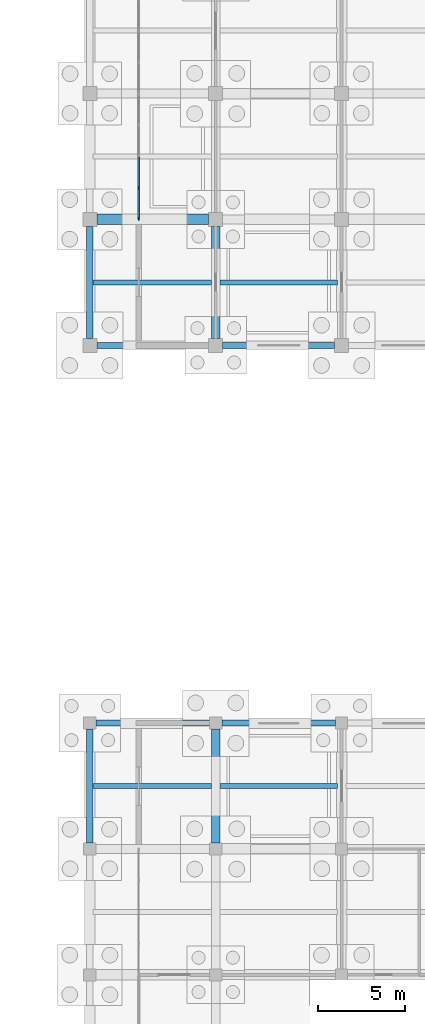
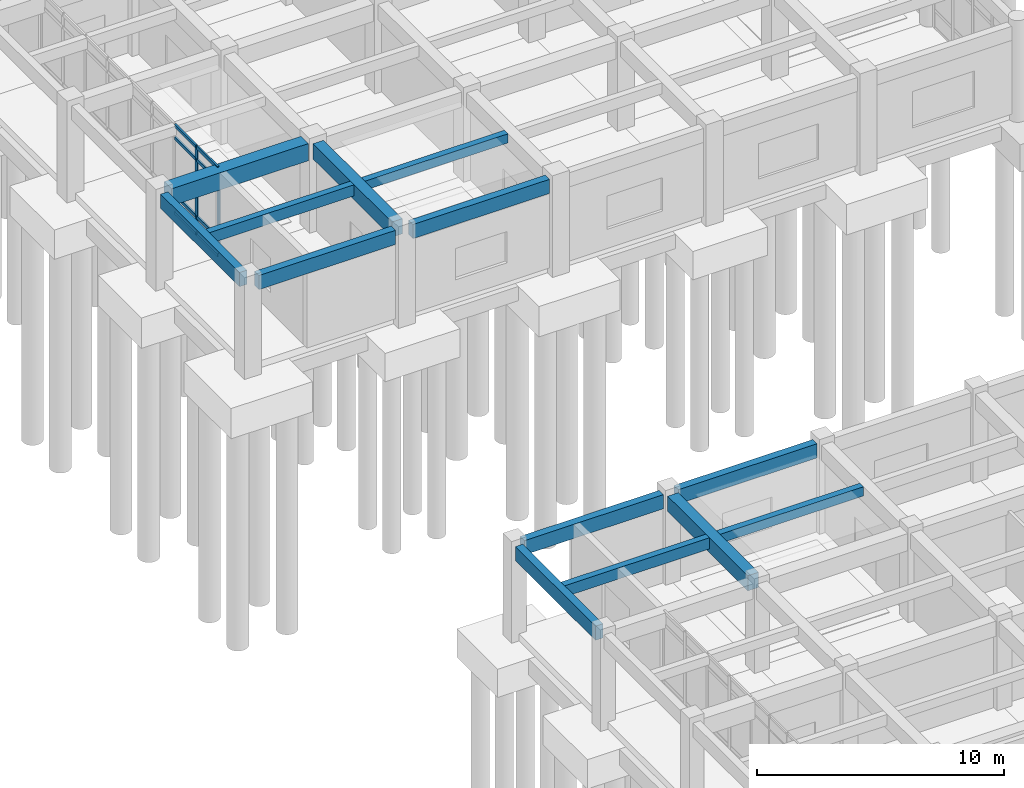
# One storey, part 25 of 79: 13 beams, 10 members, 1 element without a shape of its own.
"""IFC4 building model written with IfcOpenShell, lengths in metres."""

from ifc_helpers import new_model, si_unit, direction, frame, origin, origin_2d, place, context, subcontext, project, spatial, rectangle, extrude, material, layer, layer_set, material_profile, profile_set, type_object, element, aggregate, save


model = new_model("IFC4")

# Units and contexts
model_context = context("Model", 3, precision=1e-05, world=origin(), true_north=direction((0.0, 1.0)))
body_context = subcontext(model_context, "Body", "Model", "MODEL_VIEW")
ifc_project = project(units=[si_unit("LENGTHUNIT", "METRE"), si_unit("AREAUNIT", "SQUARE_METRE"), si_unit("VOLUMEUNIT", "CUBIC_METRE"), si_unit("PLANEANGLEUNIT", "RADIAN"), si_unit("MASSUNIT", "GRAM", prefix="KILO")], contexts=[model_context])

# Site, building, storey
site_placement = place(None, origin())
site = spatial("IfcSite", under=ifc_project, at=site_placement, CompositionType="ELEMENT")
building_placement = place(site_placement, origin())
building = spatial("IfcBuilding", under=site, at=building_placement, Name="Kavelor Marine Aquarium", CompositionType="ELEMENT")
storey_placement = place(building_placement, origin())
storey = spatial("IfcBuildingStorey", under=building, at=storey_placement, Name="L00", CompositionType="ELEMENT", Elevation=0.0)

# Beams
ifc_material_1 = material(Name="Concrete C40/50", Category="concrete")
ifc_material_profile_1 = material_profile(ifc_material_1, rectangle(XDim=0.60009765625, YDim=0.85009765625, at=origin_2d()), Name="RC-BM 600x850")
ifc_profile_set_1 = profile_set([ifc_material_profile_1], Name="Concrete C40/50")
beam_type_1 = type_object("IfcBeamType", Name="BM-B1", PredefinedType="BEAM", material=ifc_profile_set_1)
beam_1_placement = place(storey_placement, frame((118.800048828125, 60.39990234375, 3.955078125), z_axis=(1.0, 0.0, 0.0), x_axis=(0.0, 1.0, 0.0)))
element("IfcBeam", 1, at=beam_1_placement, inside=storey, type_object=beam_type_1, Name="bm:x:L00:L01:16_08", PredefinedType="BEAM", context=body_context, shape_type="SweptSolid", body=[
    extrude(rectangle(XDim=0.60009765625, YDim=0.85009765625, at=origin_2d()), origin(), (0.0, 0.0, 1.0), 6.39990234375),
])
ifc_material_2 = material(Name="Concrete C40/50", Category="concrete")
ifc_material_profile_2 = material_profile(ifc_material_2, rectangle(XDim=0.5, YDim=0.75, at=origin_2d()), Name="RC-BM 500x750")
ifc_profile_set_2 = profile_set([ifc_material_profile_2], Name="Concrete C40/50")
beam_type_2 = type_object("IfcBeamType", Name="BM-B2", PredefinedType="BEAM", material=ifc_profile_set_2)
beam_2_placement = place(storey_placement, frame((125.60009765625, 24.75, 4.0048828125), z_axis=(0.0, 1.0, 0.0), x_axis=(-1.0, 0.0, 0.0)))
element("IfcBeam", 2, at=beam_2_placement, inside=storey, type_object=beam_type_2, Name="bm:y:L00:L01:17_03", PredefinedType="BEAM", context=body_context, shape_type="SweptSolid", body=[
    extrude(rectangle(XDim=0.5, YDim=0.75, at=origin_2d()), origin(), (0.0, 0.0, 1.0), 6.5),
])
beam_3_placement = place(storey_placement, frame((125.60009765625, 53.60009765625, 4.0048828125), z_axis=(0.0, 1.0, 0.0), x_axis=(-1.0, 0.0, 0.0)))
element("IfcBeam", 3, at=beam_3_placement, inside=storey, type_object=beam_type_2, Name="bm:y:L00:L01:17_07", PredefinedType="BEAM", context=body_context, shape_type="SweptSolid", body=[
    extrude(rectangle(XDim=0.5, YDim=0.75, at=origin_2d()), origin(), (0.0, 0.0, 1.0), 6.39990234375),
])
ifc_material_3 = material(Name="Concrete C40/50", Category="concrete")
ifc_material_profile_3 = material_profile(ifc_material_3, rectangle(XDim=0.300048828125, YDim=0.449951171875, at=origin_2d()), Name="RC-JS 300x450")
ifc_profile_set_3 = profile_set([ifc_material_profile_3], Name="Concrete C40/50")
beam_type_3 = type_object("IfcBeamType", Name="BM-JS1", PredefinedType="JOIST", material=ifc_profile_set_3)
for number, where, z_axis, x_axis, name in (
    (4, (125.85009765625, 28.0, 4.155029296875), (1.0, 0.0, 0.0), (0.0, 1.0, 0.0), "js:L00:L01:17_03"),
    (5, (125.85009765625, 56.800048828125, 4.155029296875), (1.0, 0.0, 0.0), (0.0, 1.0, 0.0), "js:L00:L01:17_07"),
):
    element("IfcBeam", number, at=place(storey_placement, frame(where, z_axis=z_axis, x_axis=x_axis)), inside=storey, type_object=beam_type_3, Name=name, PredefinedType="JOIST", context=body_context, shape_type="SweptSolid", body=[
        extrude(rectangle(XDim=0.300048828125, YDim=0.449951171875, at=origin_2d()), origin(), (0.0, 0.0, 1.0), 6.699951171875),
    ])
ifc_material_4 = material(Name="Concrete C40/50", Category="concrete")
ifc_material_profile_4 = material_profile(ifc_material_4, rectangle(XDim=0.300048828125, YDim=0.550048828125, at=origin_2d()), Name="RC-JS 300x550")
ifc_profile_set_4 = profile_set([ifc_material_profile_4], Name="Concrete C40/50")
beam_type_4 = type_object("IfcBeamType", Name="BM-JS2", PredefinedType="JOIST", material=ifc_profile_set_4)
for number, where, z_axis, x_axis, name in (
    (6, (118.574951171875, 28.0, 4.10498046875), (1.0, 0.0, 0.0), (0.0, 1.0, 0.0), "js:L00:L01:16_03"),
    (7, (118.574951171875, 56.800048828125, 4.10498046875), (1.0, 0.0, 0.0), (0.0, 1.0, 0.0), "js:L00:L01:16_07"),
):
    element("IfcBeam", number, at=place(storey_placement, frame(where, z_axis=z_axis, x_axis=x_axis)), inside=storey, type_object=beam_type_4, Name=name, PredefinedType="JOIST", context=body_context, shape_type="SweptSolid", body=[
        extrude(rectangle(XDim=0.300048828125, YDim=0.550048828125, at=origin_2d()), origin(), (0.0, 0.0, 1.0), 6.775146484375),
    ])
ifc_material_5 = material(Name="Concrete C40/50", Category="concrete")
ifc_material_profile_5 = material_profile(ifc_material_5, rectangle(XDim=0.35009765625, YDim=0.699951171875, at=origin_2d()), Name="RC-SP 350x700")
ifc_profile_set_5 = profile_set([ifc_material_profile_5], Name="Concrete C40/50")
beam_type_5 = type_object("IfcBeamType", Name="BM-SP1", PredefinedType="SPANDREL", material=ifc_profile_set_5)
beam_4_placement = place(storey_placement, frame((118.75, 31.60009765625, 4.030029296875), z_axis=(1.0, 0.0, 0.0), x_axis=(0.0, 1.0, 0.0)))
element("IfcBeam", 8, at=beam_4_placement, inside=storey, type_object=beam_type_5, Name="bm:x:L00:L01:16_04", PredefinedType="SPANDREL", context=body_context, shape_type="SweptSolid", body=[
    extrude(rectangle(XDim=0.35009765625, YDim=0.699951171875, at=origin_2d()), origin(), (0.0, 0.0, 1.0), 6.5),
])
beam_5_placement = place(storey_placement, frame((118.800048828125, 53.199951171875, 4.030029296875), z_axis=(1.0, 0.0, 0.0), x_axis=(0.0, 1.0, 0.0)))
element("IfcBeam", 9, at=beam_5_placement, inside=storey, type_object=beam_type_5, Name="bm:x:L00:L01:16_07", PredefinedType="SPANDREL", context=body_context, shape_type="SweptSolid", body=[
    extrude(rectangle(XDim=0.35009765625, YDim=0.699951171875, at=origin_2d()), origin(), (0.0, 0.0, 1.0), 6.39990234375),
])
beam_6_placement = place(storey_placement, frame((125.949951171875, 31.60009765625, 4.030029296875), z_axis=(1.0, 0.0, 0.0), x_axis=(0.0, 1.0, 0.0)))
element("IfcBeam", 10, at=beam_6_placement, inside=storey, type_object=beam_type_5, Name="bm:x:L00:L01:17_04", PredefinedType="SPANDREL", context=body_context, shape_type="SweptSolid", body=[
    extrude(rectangle(XDim=0.35009765625, YDim=0.699951171875, at=origin_2d()), origin(), (0.0, 0.0, 1.0), 6.5),
])
beam_7_placement = place(storey_placement, frame((126.0, 53.199951171875, 4.030029296875), z_axis=(1.0, 0.0, 0.0), x_axis=(0.0, 1.0, 0.0)))
element("IfcBeam", 11, at=beam_7_placement, inside=storey, type_object=beam_type_5, Name="bm:x:L00:L01:17_07", PredefinedType="SPANDREL", context=body_context, shape_type="SweptSolid", body=[
    extrude(rectangle(XDim=0.35009765625, YDim=0.699951171875, at=origin_2d()), origin(), (0.0, 0.0, 1.0), 6.39990234375),
])
beam_8_placement = place(storey_placement, frame((118.39990234375, 24.75, 4.030029296875), z_axis=(0.0, 1.0, 0.0), x_axis=(-1.0, 0.0, 0.0)))
element("IfcBeam", 12, at=beam_8_placement, inside=storey, type_object=beam_type_5, Name="bm:y:L00:L01:16_03", PredefinedType="SPANDREL", context=body_context, shape_type="SweptSolid", body=[
    extrude(rectangle(XDim=0.35009765625, YDim=0.699951171875, at=origin_2d()), origin(), (0.0, 0.0, 1.0), 6.5),
])
beam_9_placement = place(storey_placement, frame((118.39990234375, 53.60009765625, 4.030029296875), z_axis=(0.0, 1.0, 0.0), x_axis=(-1.0, 0.0, 0.0)))
element("IfcBeam", 13, at=beam_9_placement, inside=storey, type_object=beam_type_5, Name="bm:y:L00:L01:16_07", PredefinedType="SPANDREL", context=body_context, shape_type="SweptSolid", body=[
    extrude(rectangle(XDim=0.35009765625, YDim=0.699951171875, at=origin_2d()), origin(), (0.0, 0.0, 1.0), 6.39990234375),
])

# Curtain wall, members
ifc_material_6 = material(Name="Thermally Broken Aluminium and Low-E Glass", Category="aluminium")
ifc_layer = layer(ifc_material_6, 0.26806640625)
ifc_layer_set = layer_set([ifc_layer], Name="CW-SYS16")
curtain_wall_type = type_object("IfcCurtainWallType", Name="CW-SYS16", PredefinedType="USERDEFINED", material=ifc_layer_set)
curtain_wall_placement = place(storey_placement, origin())
curtain_wall = element("IfcCurtainWall", 14, at=curtain_wall_placement, inside=storey, type_object=curtain_wall_type, Name="cw:arc:v6w:08", ObjectType="Curtain Wall", PredefinedType="USERDEFINED")
ifc_material_7 = material(Name="Anodised Aluminium Alloy 6063-T6", Category="aluminium")
ifc_material_profile_6 = material_profile(ifc_material_7, rectangle(XDim=0.074951171875, YDim=0.179931640625, at=origin_2d()), Name="CW-MUL 75x180")
ifc_profile_set_6 = profile_set([ifc_material_profile_6], Name="Anodised Aluminium Alloy 6063-T6")
member_type_1 = type_object("IfcMemberType", Name="CWM-1", PredefinedType="MULLION", material=ifc_profile_set_6)
member_1_placement = place(storey_placement, frame((121.199951171875, 62.199951171875, 0.0), z_axis=(0.0, 0.0, 1.0), x_axis=(1.0, 0.0, 0.0)))
member_1 = element("IfcMember", 15, at=member_1_placement, type_object=member_type_1, Name="CW16 mullion 4", PredefinedType="MULLION", context=body_context, shape_type="SweptSolid", body=[
    extrude(rectangle(XDim=0.074951171875, YDim=0.179931640625, at=origin_2d()), origin(), (0.0, 0.0, 1.0), 4.3701171875),
])
member_2_placement = place(storey_placement, frame((121.199951171875, 60.4375, 0.0), z_axis=(0.0, 0.0, 1.0), x_axis=(1.0, 0.0, 0.0)))
member_2 = element("IfcMember", 16, at=member_2_placement, type_object=member_type_1, Name="CW16 mullion 5", PredefinedType="MULLION", context=body_context, shape_type="SweptSolid", body=[
    extrude(rectangle(XDim=0.074951171875, YDim=0.179931640625, at=origin_2d()), origin(), (0.0, 0.0, 1.0), 4.3701171875),
])
ifc_material_8 = material(Name="Anodised Aluminium Alloy 6063-T6", Category="aluminium")
ifc_material_profile_7 = material_profile(ifc_material_8, rectangle(XDim=0.0849609375, YDim=0.159912109375, at=origin_2d()), Name="CW-TRN 85x160")
ifc_profile_set_7 = profile_set([ifc_material_profile_7], Name="Anodised Aluminium Alloy 6063-T6")
member_type_2 = type_object("IfcMemberType", Name="CWT-3", PredefinedType="USERDEFINED", material=ifc_profile_set_7)
member_3_placement = place(storey_placement, frame((121.199951171875, 63.96240234375, 0.030029296875), z_axis=(0.0, -1.0, 0.0), x_axis=(1.0, 0.0, 0.0)))
member_3 = element("IfcMember", 17, at=member_3_placement, type_object=member_type_2, Name="CW16 transom 3.1", ObjectType="TRANSOM", PredefinedType="USERDEFINED", context=body_context, shape_type="SweptSolid", body=[
    extrude(rectangle(XDim=0.0849609375, YDim=0.159912109375, at=origin_2d()), origin(), (0.0, 0.0, 1.0), 1.724853515625),
])
member_4_placement = place(storey_placement, frame((121.199951171875, 63.96240234375, 0.89990234375), z_axis=(0.0, -1.0, 0.0), x_axis=(1.0, 0.0, 0.0)))
member_4 = element("IfcMember", 18, at=member_4_placement, type_object=member_type_2, Name="CW16 transom 3.2", ObjectType="TRANSOM", PredefinedType="USERDEFINED", context=body_context, shape_type="SweptSolid", body=[
    extrude(rectangle(XDim=0.0849609375, YDim=0.159912109375, at=origin_2d()), origin(), (0.0, 0.0, 1.0), 1.724853515625),
])
member_5_placement = place(storey_placement, frame((121.199951171875, 63.96240234375, 3.719970703125), z_axis=(0.0, -1.0, 0.0), x_axis=(1.0, 0.0, 0.0)))
member_5 = element("IfcMember", 19, at=member_5_placement, type_object=member_type_2, Name="CW16 transom 3.3", ObjectType="TRANSOM", PredefinedType="USERDEFINED", context=body_context, shape_type="SweptSolid", body=[
    extrude(rectangle(XDim=0.0849609375, YDim=0.159912109375, at=origin_2d()), origin(), (0.0, 0.0, 1.0), 1.724853515625),
])
member_6_placement = place(storey_placement, frame((121.199951171875, 63.96240234375, 4.340087890625), z_axis=(0.0, -1.0, 0.0), x_axis=(1.0, 0.0, 0.0)))
member_6 = element("IfcMember", 20, at=member_6_placement, type_object=member_type_2, Name="CW16 transom 3.4", ObjectType="TRANSOM", PredefinedType="USERDEFINED", context=body_context, shape_type="SweptSolid", body=[
    extrude(rectangle(XDim=0.0849609375, YDim=0.159912109375, at=origin_2d()), origin(), (0.0, 0.0, 1.0), 1.724853515625),
])
member_7_placement = place(storey_placement, frame((121.199951171875, 62.16259765625, 0.030029296875), z_axis=(0.0, -1.0, 0.0), x_axis=(1.0, 0.0, 0.0)))
member_7 = element("IfcMember", 21, at=member_7_placement, type_object=member_type_2, Name="CW16 transom 4.1", ObjectType="TRANSOM", PredefinedType="USERDEFINED", context=body_context, shape_type="SweptSolid", body=[
    extrude(rectangle(XDim=0.0849609375, YDim=0.159912109375, at=origin_2d()), origin(), (0.0, 0.0, 1.0), 1.6875),
])
member_8_placement = place(storey_placement, frame((121.199951171875, 62.16259765625, 0.89990234375), z_axis=(0.0, -1.0, 0.0), x_axis=(1.0, 0.0, 0.0)))
member_8 = element("IfcMember", 22, at=member_8_placement, type_object=member_type_2, Name="CW16 transom 4.2", ObjectType="TRANSOM", PredefinedType="USERDEFINED", context=body_context, shape_type="SweptSolid", body=[
    extrude(rectangle(XDim=0.0849609375, YDim=0.159912109375, at=origin_2d()), origin(), (0.0, 0.0, 1.0), 1.6875),
])
member_9_placement = place(storey_placement, frame((121.199951171875, 62.16259765625, 3.719970703125), z_axis=(0.0, -1.0, 0.0), x_axis=(1.0, 0.0, 0.0)))
member_9 = element("IfcMember", 23, at=member_9_placement, type_object=member_type_2, Name="CW16 transom 4.3", ObjectType="TRANSOM", PredefinedType="USERDEFINED", context=body_context, shape_type="SweptSolid", body=[
    extrude(rectangle(XDim=0.0849609375, YDim=0.159912109375, at=origin_2d()), origin(), (0.0, 0.0, 1.0), 1.6875),
])
member_10_placement = place(storey_placement, frame((121.199951171875, 62.16259765625, 4.340087890625), z_axis=(0.0, -1.0, 0.0), x_axis=(1.0, 0.0, 0.0)))
member_10 = element("IfcMember", 24, at=member_10_placement, type_object=member_type_2, Name="CW16 transom 4.4", ObjectType="TRANSOM", PredefinedType="USERDEFINED", context=body_context, shape_type="SweptSolid", body=[
    extrude(rectangle(XDim=0.0849609375, YDim=0.159912109375, at=origin_2d()), origin(), (0.0, 0.0, 1.0), 1.6875),
])
aggregate(curtain_wall, [member_1, member_2, member_3, member_4, member_5, member_6, member_7, member_8, member_9, member_10])

save(model, "model.ifc")
